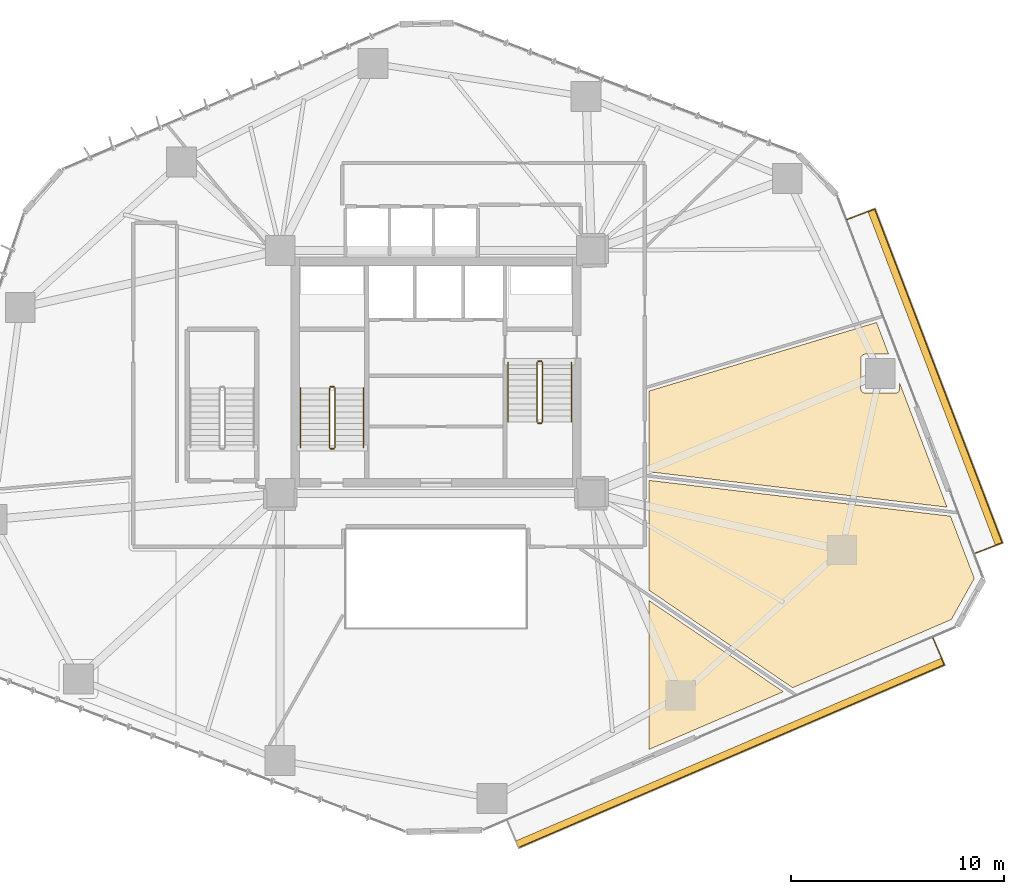
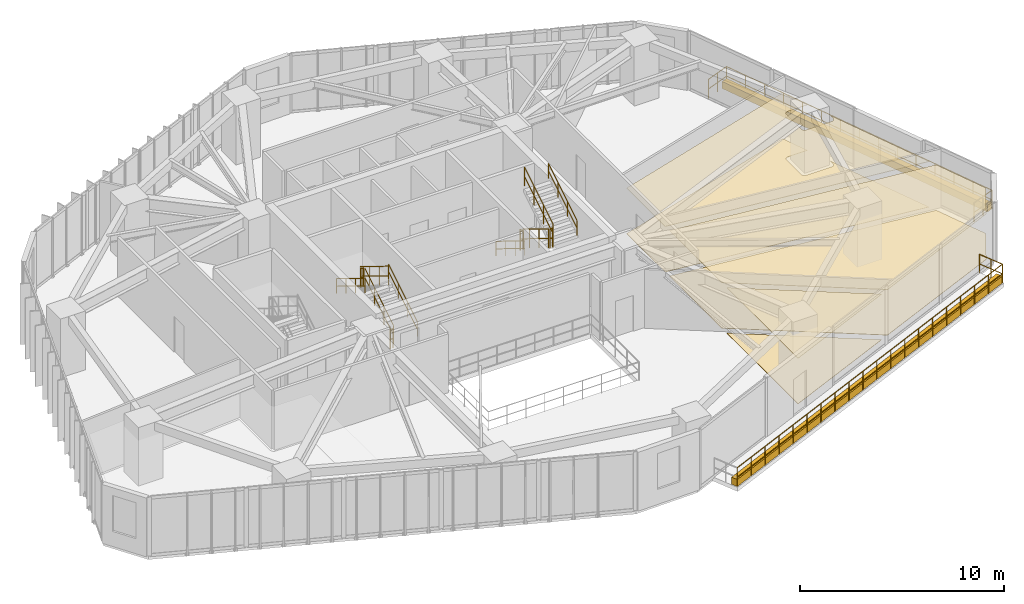
# One storey, part 22 of 23: 17 railings, 8 coverings.
"""IFC4 building model written with IfcOpenShell, lengths in metres."""

from ifc_helpers import new_model, si_unit, direction, frame, origin, origin_2d, place, context, subcontext, project, spatial, polyline, circle, outline, extrude, material, layer, layer_set, type_object, element, save


model = new_model("IFC4")

# Units and contexts
model_context = context("Model", 3, precision=1e-05, world=origin(), true_north=direction((0.0, 1.0)))
body_context = subcontext(model_context, "Body", "Model", "MODEL_VIEW")
ifc_project = project(units=[si_unit("LENGTHUNIT", "METRE"), si_unit("AREAUNIT", "SQUARE_METRE"), si_unit("VOLUMEUNIT", "CUBIC_METRE"), si_unit("PLANEANGLEUNIT", "RADIAN"), si_unit("MASSUNIT", "GRAM", prefix="KILO")], contexts=[model_context])

# Site, building, storey
site_placement = place(None, origin())
site = spatial("IfcSite", under=ifc_project, at=site_placement, CompositionType="ELEMENT")
building_placement = place(site_placement, origin())
building = spatial("IfcBuilding", under=site, at=building_placement, Name="Talar Marvaseh", CompositionType="ELEMENT")
storey_placement = place(building_placement, frame((0.0, 0.0, 27.800048828125)))
storey = spatial("IfcBuildingStorey", under=building, at=storey_placement, Name="L06", CompositionType="ELEMENT", Elevation=27.800048828125)

# Railings
ifc_material_1 = material(Name="Stainless Steel Grade 316", Category="steel")
railing_type_1 = type_object("IfcRailingType", Name="Brushed Stainless Wall Pitch Handrail 900", PredefinedType="HANDRAIL", material=ifc_material_1)
railing_1_placement = place(storey_placement, frame((22.610107421875, 27.64990234375, 0.172607421875)))
element("IfcRailing", 1, at=railing_1_placement, inside=storey, type_object=railing_type_1, Name="L06 ST-1 stair handrail 1", PredefinedType="HANDRAIL", context=body_context, shape_type="SweptSolid", body=[
    extrude(circle(Radius=0.02392578125, at=origin_2d()), frame((0.0, 0.0, 0.8759765625), z_axis=(0.0, 0.851089632645, 0.525020415988), x_axis=(-1.0, 0.0, 0.0)), (0.0, 0.0, 1.0), 3.2900390625),
    extrude(circle(Radius=0.02392578125, at=origin_2d()), frame((0.0, 0.0, 0.42578125), z_axis=(0.0, 0.851089632645, 0.525020415988), x_axis=(-1.0, 0.0, 0.0)), (0.0, 0.0, 1.0), 3.2900390625),
    extrude(circle(Radius=0.02099609375, at=origin_2d()), origin(), (0.0, 0.0, 1.0), 0.851806640625),
    extrude(circle(Radius=0.02099609375, at=origin_2d()), frame((0.0, 0.933349609375, 0.57568359375)), (0.0, 0.0, 1.0), 0.851806640625),
    extrude(circle(Radius=0.02099609375, at=origin_2d()), frame((0.0, 1.86669921875, 1.151611328125)), (0.0, 0.0, 1.0), 0.851806640625),
    extrude(circle(Radius=0.02099609375, at=origin_2d()), frame((0.0, 2.800048828125, 1.727294921875)), (0.0, 0.0, 1.0), 0.851806640625),
])
railing_2_placement = place(storey_placement, frame((19.64990234375, 30.449951171875, 2.07275390625)))
element("IfcRailing", 2, at=railing_2_placement, inside=storey, type_object=railing_type_1, Name="L06 ST-1 stair handrail 2", PredefinedType="HANDRAIL", context=body_context, shape_type="SweptSolid", body=[
    extrude(circle(Radius=0.02392578125, at=origin_2d()), frame((0.0, 0.0, 0.8759765625), z_axis=(0.0, -0.851089632645, 0.525020415988), x_axis=(1.0, 0.0, 0.0)), (0.0, 0.0, 1.0), 3.2900390625),
    extrude(circle(Radius=0.02392578125, at=origin_2d()), frame((0.0, 0.0, 0.42578125), z_axis=(0.0, -0.851089632645, 0.525020415988), x_axis=(1.0, 0.0, 0.0)), (0.0, 0.0, 1.0), 3.2900390625),
    extrude(circle(Radius=0.02099609375, at=origin_2d()), origin(), (0.0, 0.0, 1.0), 0.851806640625),
    extrude(circle(Radius=0.02099609375, at=origin_2d()), frame((0.0, -0.933349609375, 0.57568359375)), (0.0, 0.0, 1.0), 0.851806640625),
    extrude(circle(Radius=0.02099609375, at=origin_2d()), frame((0.0, -1.86669921875, 1.151611328125)), (0.0, 0.0, 1.0), 0.851806640625),
    extrude(circle(Radius=0.02099609375, at=origin_2d()), frame((0.0, -2.800048828125, 1.727294921875)), (0.0, 0.0, 1.0), 0.851806640625),
])
railing_3_placement = place(storey_placement, frame((29.389892578125, 31.64990234375, 0.172607421875)))
element("IfcRailing", 3, at=railing_3_placement, inside=storey, type_object=railing_type_1, Name="L06 ST-2 stair handrail 1", PredefinedType="HANDRAIL", context=body_context, shape_type="SweptSolid", body=[
    extrude(circle(Radius=0.02392578125, at=origin_2d()), frame((0.0, 0.0, 0.8759765625), z_axis=(0.0, -0.851069175582, 0.525053576669), x_axis=(1.0, 0.0, 0.0)), (0.0, 0.0, 1.0), 3.289794921875),
    extrude(circle(Radius=0.02392578125, at=origin_2d()), frame((0.0, 0.0, 0.42578125), z_axis=(0.0, -0.851069175582, 0.525053576669), x_axis=(1.0, 0.0, 0.0)), (0.0, 0.0, 1.0), 3.289794921875),
    extrude(circle(Radius=0.02099609375, at=origin_2d()), origin(), (0.0, 0.0, 1.0), 0.851806640625),
    extrude(circle(Radius=0.02099609375, at=origin_2d()), frame((0.0, -0.933349609375, 0.57568359375)), (0.0, 0.0, 1.0), 0.851806640625),
    extrude(circle(Radius=0.02099609375, at=origin_2d()), frame((0.0, -1.866455078125, 1.151611328125)), (0.0, 0.0, 1.0), 0.851806640625),
    extrude(circle(Radius=0.02099609375, at=origin_2d()), frame((0.0, -2.7998046875, 1.727294921875)), (0.0, 0.0, 1.0), 0.851806640625),
])
railing_4_placement = place(storey_placement, frame((32.35009765625, 28.85009765625, 2.07275390625)))
element("IfcRailing", 4, at=railing_4_placement, inside=storey, type_object=railing_type_1, Name="L06 ST-2 stair handrail 2", PredefinedType="HANDRAIL", context=body_context, shape_type="SweptSolid", body=[
    extrude(circle(Radius=0.02392578125, at=origin_2d()), frame((0.0, 0.0, 0.8759765625), z_axis=(0.0, 0.851069175582, 0.525053576669), x_axis=(-1.0, 0.0, 0.0)), (0.0, 0.0, 1.0), 3.289794921875),
    extrude(circle(Radius=0.02392578125, at=origin_2d()), frame((0.0, 0.0, 0.42578125), z_axis=(0.0, 0.851069175582, 0.525053576669), x_axis=(-1.0, 0.0, 0.0)), (0.0, 0.0, 1.0), 3.289794921875),
    extrude(circle(Radius=0.02099609375, at=origin_2d()), origin(), (0.0, 0.0, 1.0), 0.851806640625),
    extrude(circle(Radius=0.02099609375, at=origin_2d()), frame((0.0, 0.933349609375, 0.57568359375)), (0.0, 0.0, 1.0), 0.851806640625),
    extrude(circle(Radius=0.02099609375, at=origin_2d()), frame((0.0, 1.866455078125, 1.151611328125)), (0.0, 0.0, 1.0), 0.851806640625),
    extrude(circle(Radius=0.02099609375, at=origin_2d()), frame((0.0, 2.7998046875, 1.727294921875)), (0.0, 0.0, 1.0), 0.851806640625),
])
ifc_material_2 = material(Name="Tempered Clear Glass", Category="glass")
railing_type_2 = type_object("IfcRailingType", Name="External Laminated Glass Terrace Balustrade 1150", PredefinedType="BALUSTRADE", material=ifc_material_2)
railing_5_placement = place(storey_placement, frame((45.273681640625, 38.3447265625, 0.0)))
element("IfcRailing", 5, at=railing_5_placement, inside=storey, type_object=railing_type_2, Name="L06 External Terrace Balustrade 1 1", PredefinedType="BALUSTRADE", context=body_context, shape_type="SweptSolid", body=[
    extrude(circle(Radius=0.02392578125, at=origin_2d()), frame((0.0, 0.0, 1.1259765625), z_axis=(0.93415542541, 0.356866419234, 0.0), x_axis=(-0.356866419234, 0.93415542541, 0.0)), (0.0, 0.0, 1.0), 1.409912109375),
    extrude(circle(Radius=0.02392578125, at=origin_2d()), frame((0.0, 0.0, 0.55078125), z_axis=(0.93415542541, 0.356866419234, 0.0), x_axis=(-0.356866419234, 0.93415542541, 0.0)), (0.0, 0.0, 1.0), 1.409912109375),
    extrude(circle(Radius=0.02099609375, at=origin_2d()), origin(), (0.0, 0.0, 1.0), 1.101806640625),
    extrude(circle(Radius=0.02099609375, at=origin_2d()), frame((0.65869140625, 0.25146484375, 0.0)), (0.0, 0.0, 1.0), 1.101806640625),
    extrude(circle(Radius=0.02099609375, at=origin_2d()), frame((1.317138671875, 0.503173828125, 0.0)), (0.0, 0.0, 1.0), 1.101806640625),
])
railing_6_placement = place(storey_placement, frame((46.5908203125, 38.847900390625, 0.0)))
element("IfcRailing", 6, at=railing_6_placement, inside=storey, type_object=railing_type_2, Name="L06 External Terrace Balustrade 1 2", PredefinedType="BALUSTRADE", context=body_context, shape_type="SweptSolid", body=[
    extrude(circle(Radius=0.02392578125, at=origin_2d()), frame((0.0, 0.0, 1.1259765625), z_axis=(0.356809008199, -0.934177355574, 0.0), x_axis=(0.934177355574, 0.356809008199, 0.0)), (0.0, 0.0, 1.0), 16.766357421875),
    extrude(circle(Radius=0.02392578125, at=origin_2d()), frame((0.0, 0.0, 0.55078125), z_axis=(0.356809008199, -0.934177355574, 0.0), x_axis=(0.934177355574, 0.356809008199, 0.0)), (0.0, 0.0, 1.0), 16.766357421875),
    extrude(circle(Radius=0.02099609375, at=origin_2d()), origin(), (0.0, 0.0, 1.0), 1.101806640625),
    extrude(circle(Radius=0.02099609375, at=origin_2d()), frame((0.42724609375, -1.11865234375, 0.0)), (0.0, 0.0, 1.0), 1.101806640625),
    extrude(circle(Radius=0.02099609375, at=origin_2d()), frame((0.854736328125, -2.237548828125, 0.0)), (0.0, 0.0, 1.0), 1.101806640625),
    extrude(circle(Radius=0.02099609375, at=origin_2d()), frame((1.281982421875, -3.3564453125, 0.0)), (0.0, 0.0, 1.0), 1.101806640625),
    extrude(circle(Radius=0.02099609375, at=origin_2d()), frame((1.709228515625, -4.47509765625, 0.0)), (0.0, 0.0, 1.0), 1.101806640625),
    extrude(circle(Radius=0.02099609375, at=origin_2d()), frame((2.136474609375, -5.59375, 0.0)), (0.0, 0.0, 1.0), 1.101806640625),
    extrude(circle(Radius=0.02099609375, at=origin_2d()), frame((2.56396484375, -6.712646484375, 0.0)), (0.0, 0.0, 1.0), 1.101806640625),
    extrude(circle(Radius=0.02099609375, at=origin_2d()), frame((2.9912109375, -7.83154296875, 0.0)), (0.0, 0.0, 1.0), 1.101806640625),
    extrude(circle(Radius=0.02099609375, at=origin_2d()), frame((3.41845703125, -8.9501953125, 0.0)), (0.0, 0.0, 1.0), 1.101806640625),
    extrude(circle(Radius=0.02099609375, at=origin_2d()), frame((3.845947265625, -10.06884765625, 0.0)), (0.0, 0.0, 1.0), 1.101806640625),
    extrude(circle(Radius=0.02099609375, at=origin_2d()), frame((4.273193359375, -11.187744140625, 0.0)), (0.0, 0.0, 1.0), 1.101806640625),
    extrude(circle(Radius=0.02099609375, at=origin_2d()), frame((4.700439453125, -12.306640625, 0.0)), (0.0, 0.0, 1.0), 1.101806640625),
    extrude(circle(Radius=0.02099609375, at=origin_2d()), frame((5.127685546875, -13.42529296875, 0.0)), (0.0, 0.0, 1.0), 1.101806640625),
    extrude(circle(Radius=0.02099609375, at=origin_2d()), frame((5.55517578125, -14.5439453125, 0.0)), (0.0, 0.0, 1.0), 1.101806640625),
    extrude(circle(Radius=0.02099609375, at=origin_2d()), frame((5.982421875, -15.662841796875, 0.0)), (0.0, 0.0, 1.0), 1.101806640625),
])
railing_7_placement = place(storey_placement, frame((52.5732421875, 23.18505859375, 0.0)))
element("IfcRailing", 7, at=railing_7_placement, inside=storey, type_object=railing_type_2, Name="L06 External Terrace Balustrade 1 3", PredefinedType="BALUSTRADE", context=body_context, shape_type="SweptSolid", body=[
    extrude(circle(Radius=0.02392578125, at=origin_2d()), frame((0.0, 0.0, 1.1259765625), z_axis=(-0.93415542541, -0.356866419234, 0.0), x_axis=(0.356866419234, -0.93415542541, 0.0)), (0.0, 0.0, 1.0), 1.409912109375),
    extrude(circle(Radius=0.02392578125, at=origin_2d()), frame((0.0, 0.0, 0.55078125), z_axis=(-0.93415542541, -0.356866419234, 0.0), x_axis=(0.356866419234, -0.93415542541, 0.0)), (0.0, 0.0, 1.0), 1.409912109375),
    extrude(circle(Radius=0.02099609375, at=origin_2d()), origin(), (0.0, 0.0, 1.0), 1.101806640625),
    extrude(circle(Radius=0.02099609375, at=origin_2d()), frame((-0.65869140625, -0.25146484375, 0.0)), (0.0, 0.0, 1.0), 1.101806640625),
    extrude(circle(Radius=0.02099609375, at=origin_2d()), frame((-1.317138671875, -0.503173828125, 0.0)), (0.0, 0.0, 1.0), 1.101806640625),
])
railing_8_placement = place(storey_placement, frame((49.29931640625, 18.75, 0.0)))
element("IfcRailing", 8, at=railing_8_placement, inside=storey, type_object=railing_type_2, Name="L06 External Terrace Balustrade 2 1", PredefinedType="BALUSTRADE", context=body_context, shape_type="SweptSolid", body=[
    extrude(circle(Radius=0.02392578125, at=origin_2d()), frame((0.0, 0.0, 1.1259765625), z_axis=(0.394587876034, -0.918858208913, 0.0), x_axis=(0.918858208913, 0.394587876034, 0.0)), (0.0, 0.0, 1.0), 1.41015625),
    extrude(circle(Radius=0.02392578125, at=origin_2d()), frame((0.0, 0.0, 0.55078125), z_axis=(0.394587876034, -0.918858208913, 0.0), x_axis=(0.918858208913, 0.394587876034, 0.0)), (0.0, 0.0, 1.0), 1.41015625),
    extrude(circle(Radius=0.02099609375, at=origin_2d()), origin(), (0.0, 0.0, 1.0), 1.101806640625),
    extrude(circle(Radius=0.02099609375, at=origin_2d()), frame((0.2783203125, -0.64794921875, 0.0)), (0.0, 0.0, 1.0), 1.101806640625),
    extrude(circle(Radius=0.02099609375, at=origin_2d()), frame((0.556396484375, -1.295654296875, 0.0)), (0.0, 0.0, 1.0), 1.101806640625),
])
railing_9_placement = place(storey_placement, frame((49.855712890625, 17.454345703125, 0.0)))
element("IfcRailing", 9, at=railing_9_placement, inside=storey, type_object=railing_type_2, Name="L06 External Terrace Balustrade 2 2", PredefinedType="BALUSTRADE", context=body_context, shape_type="SweptSolid", body=[
    extrude(circle(Radius=0.02392578125, at=origin_2d()), frame((0.0, 0.0, 1.1259765625), z_axis=(-0.918854751931, -0.394595926047, 0.0), x_axis=(0.394595926047, -0.918854751931, 0.0)), (0.0, 0.0, 1.0), 21.7265625),
    extrude(circle(Radius=0.02392578125, at=origin_2d()), frame((0.0, 0.0, 0.55078125), z_axis=(-0.918854751931, -0.394595926047, 0.0), x_axis=(0.394595926047, -0.918854751931, 0.0)), (0.0, 0.0, 1.0), 21.7265625),
    extrude(circle(Radius=0.02099609375, at=origin_2d()), origin(), (0.0, 0.0, 1.0), 1.101806640625),
    extrude(circle(Radius=0.02099609375, at=origin_2d()), frame((-1.05078125, -0.451171875, 0.0)), (0.0, 0.0, 1.0), 1.101806640625),
    extrude(circle(Radius=0.02099609375, at=origin_2d()), frame((-2.101318359375, -0.90234375, 0.0)), (0.0, 0.0, 1.0), 1.101806640625),
    extrude(circle(Radius=0.02099609375, at=origin_2d()), frame((-3.152099609375, -1.353759765625, 0.0)), (0.0, 0.0, 1.0), 1.101806640625),
    extrude(circle(Radius=0.02099609375, at=origin_2d()), frame((-4.202880859375, -1.804931640625, 0.0)), (0.0, 0.0, 1.0), 1.101806640625),
    extrude(circle(Radius=0.02099609375, at=origin_2d()), frame((-5.253662109375, -2.256103515625, 0.0)), (0.0, 0.0, 1.0), 1.101806640625),
    extrude(circle(Radius=0.02099609375, at=origin_2d()), frame((-6.30419921875, -2.707275390625, 0.0)), (0.0, 0.0, 1.0), 1.101806640625),
    extrude(circle(Radius=0.02099609375, at=origin_2d()), frame((-7.35498046875, -3.158447265625, 0.0)), (0.0, 0.0, 1.0), 1.101806640625),
    extrude(circle(Radius=0.02099609375, at=origin_2d()), frame((-8.40576171875, -3.60986328125, 0.0)), (0.0, 0.0, 1.0), 1.101806640625),
    extrude(circle(Radius=0.02099609375, at=origin_2d()), frame((-9.45654296875, -4.06103515625, 0.0)), (0.0, 0.0, 1.0), 1.101806640625),
    extrude(circle(Radius=0.02099609375, at=origin_2d()), frame((-10.507080078125, -4.51220703125, 0.0)), (0.0, 0.0, 1.0), 1.101806640625),
    extrude(circle(Radius=0.02099609375, at=origin_2d()), frame((-11.557861328125, -4.96337890625, 0.0)), (0.0, 0.0, 1.0), 1.101806640625),
    extrude(circle(Radius=0.02099609375, at=origin_2d()), frame((-12.608642578125, -5.414794921875, 0.0)), (0.0, 0.0, 1.0), 1.101806640625),
    extrude(circle(Radius=0.02099609375, at=origin_2d()), frame((-13.659423828125, -5.865966796875, 0.0)), (0.0, 0.0, 1.0), 1.101806640625),
    extrude(circle(Radius=0.02099609375, at=origin_2d()), frame((-14.7099609375, -6.317138671875, 0.0)), (0.0, 0.0, 1.0), 1.101806640625),
    extrude(circle(Radius=0.02099609375, at=origin_2d()), frame((-15.7607421875, -6.768310546875, 0.0)), (0.0, 0.0, 1.0), 1.101806640625),
    extrude(circle(Radius=0.02099609375, at=origin_2d()), frame((-16.8115234375, -7.219482421875, 0.0)), (0.0, 0.0, 1.0), 1.101806640625),
    extrude(circle(Radius=0.02099609375, at=origin_2d()), frame((-17.8623046875, -7.6708984375, 0.0)), (0.0, 0.0, 1.0), 1.101806640625),
    extrude(circle(Radius=0.02099609375, at=origin_2d()), frame((-18.912841796875, -8.1220703125, 0.0)), (0.0, 0.0, 1.0), 1.101806640625),
    extrude(circle(Radius=0.02099609375, at=origin_2d()), frame((-19.963623046875, -8.5732421875, 0.0)), (0.0, 0.0, 1.0), 1.101806640625),
])
railing_type_3 = type_object("IfcRailingType", Name="Painted Steel Core Stair Well Guardrail 1150", PredefinedType="GUARDRAIL", material=ifc_material_1)
railing_10_placement = place(storey_placement, frame((21.260009765625, 27.64990234375, 0.172607421875)))
element("IfcRailing", 10, at=railing_10_placement, inside=storey, type_object=railing_type_3, Name="L06 ST-1 stair guard 1", PredefinedType="GUARDRAIL", context=body_context, shape_type="SweptSolid", body=[
    extrude(circle(Radius=0.02392578125, at=origin_2d()), frame((0.0, 0.0, 1.1259765625), z_axis=(0.0, 0.851089632645, 0.525020415988), x_axis=(-1.0, 0.0, 0.0)), (0.0, 0.0, 1.0), 3.2900390625),
    extrude(circle(Radius=0.02392578125, at=origin_2d()), frame((0.0, 0.0, 0.55078125), z_axis=(0.0, 0.851089632645, 0.525020415988), x_axis=(-1.0, 0.0, 0.0)), (0.0, 0.0, 1.0), 3.2900390625),
    extrude(circle(Radius=0.02099609375, at=origin_2d()), origin(), (0.0, 0.0, 1.0), 1.101806640625),
    extrude(circle(Radius=0.02099609375, at=origin_2d()), frame((0.0, 0.933349609375, 0.57568359375)), (0.0, 0.0, 1.0), 1.101806640625),
    extrude(circle(Radius=0.02099609375, at=origin_2d()), frame((0.0, 1.86669921875, 1.151611328125)), (0.0, 0.0, 1.0), 1.101806640625),
    extrude(circle(Radius=0.02099609375, at=origin_2d()), frame((0.0, 2.800048828125, 1.727294921875)), (0.0, 0.0, 1.0), 1.101806640625),
])
railing_11_placement = place(storey_placement, frame((21.2099609375, 30.5, 1.89990234375)))
element("IfcRailing", 11, at=railing_11_placement, inside=storey, type_object=railing_type_3, Name="L06 ST-1 stair guard 2", PredefinedType="GUARDRAIL", context=body_context, shape_type="SweptSolid", body=[
    extrude(circle(Radius=0.02392578125, at=origin_2d()), frame((0.0, 0.0, 1.1259765625), z_axis=(-1.0, 0.0, 0.0), x_axis=(0.0, -1.0, 0.0)), (0.0, 0.0, 1.0), 0.159912109375),
    extrude(circle(Radius=0.02392578125, at=origin_2d()), frame((0.0, 0.0, 0.55078125), z_axis=(-1.0, 0.0, 0.0), x_axis=(0.0, -1.0, 0.0)), (0.0, 0.0, 1.0), 0.159912109375),
    extrude(circle(Radius=0.02099609375, at=origin_2d()), origin(), (0.0, 0.0, 1.0), 1.101806640625),
    extrude(circle(Radius=0.02099609375, at=origin_2d()), frame((-0.159912109375, 0.0, 0.0)), (0.0, 0.0, 1.0), 1.101806640625),
])
railing_12_placement = place(storey_placement, frame((21.0, 30.449951171875, 2.07275390625)))
element("IfcRailing", 12, at=railing_12_placement, inside=storey, type_object=railing_type_3, Name="L06 ST-1 stair guard 3", PredefinedType="GUARDRAIL", context=body_context, shape_type="SweptSolid", body=[
    extrude(circle(Radius=0.02392578125, at=origin_2d()), frame((0.0, 0.0, 1.1259765625), z_axis=(0.0, -0.851089632645, 0.525020415988), x_axis=(1.0, 0.0, 0.0)), (0.0, 0.0, 1.0), 3.2900390625),
    extrude(circle(Radius=0.02392578125, at=origin_2d()), frame((0.0, 0.0, 0.55078125), z_axis=(0.0, -0.851089632645, 0.525020415988), x_axis=(1.0, 0.0, 0.0)), (0.0, 0.0, 1.0), 3.2900390625),
    extrude(circle(Radius=0.02099609375, at=origin_2d()), origin(), (0.0, 0.0, 1.0), 1.101806640625),
    extrude(circle(Radius=0.02099609375, at=origin_2d()), frame((0.0, -0.933349609375, 0.57568359375)), (0.0, 0.0, 1.0), 1.101806640625),
    extrude(circle(Radius=0.02099609375, at=origin_2d()), frame((0.0, -1.86669921875, 1.151611328125)), (0.0, 0.0, 1.0), 1.101806640625),
    extrude(circle(Radius=0.02099609375, at=origin_2d()), frame((0.0, -2.800048828125, 1.727294921875)), (0.0, 0.0, 1.0), 1.101806640625),
])
railing_13_placement = place(storey_placement, frame((21.2099609375, 27.60009765625, 0.0)))
element("IfcRailing", 13, at=railing_13_placement, inside=storey, type_object=railing_type_3, Name="L06 ST-1 stair guard 4", PredefinedType="GUARDRAIL", context=body_context, shape_type="SweptSolid", body=[
    extrude(circle(Radius=0.02392578125, at=origin_2d()), frame((0.0, 0.0, 1.1259765625), z_axis=(-1.0, 0.0, 0.0), x_axis=(0.0, -1.0, 0.0)), (0.0, 0.0, 1.0), 0.159912109375),
    extrude(circle(Radius=0.02392578125, at=origin_2d()), frame((0.0, 0.0, 0.55078125), z_axis=(-1.0, 0.0, 0.0), x_axis=(0.0, -1.0, 0.0)), (0.0, 0.0, 1.0), 0.159912109375),
    extrude(circle(Radius=0.02099609375, at=origin_2d()), origin(), (0.0, 0.0, 1.0), 1.101806640625),
    extrude(circle(Radius=0.02099609375, at=origin_2d()), frame((-0.159912109375, 0.0, 0.0)), (0.0, 0.0, 1.0), 1.101806640625),
])
railing_14_placement = place(storey_placement, frame((30.739990234375, 31.64990234375, 0.172607421875)))
element("IfcRailing", 14, at=railing_14_placement, inside=storey, type_object=railing_type_3, Name="L06 ST-2 stair guard 1", PredefinedType="GUARDRAIL", context=body_context, shape_type="SweptSolid", body=[
    extrude(circle(Radius=0.02392578125, at=origin_2d()), frame((0.0, 0.0, 1.1259765625), z_axis=(0.0, -0.851069175582, 0.525053576669), x_axis=(1.0, 0.0, 0.0)), (0.0, 0.0, 1.0), 3.289794921875),
    extrude(circle(Radius=0.02392578125, at=origin_2d()), frame((0.0, 0.0, 0.55078125), z_axis=(0.0, -0.851069175582, 0.525053576669), x_axis=(1.0, 0.0, 0.0)), (0.0, 0.0, 1.0), 3.289794921875),
    extrude(circle(Radius=0.02099609375, at=origin_2d()), origin(), (0.0, 0.0, 1.0), 1.101806640625),
    extrude(circle(Radius=0.02099609375, at=origin_2d()), frame((0.0, -0.933349609375, 0.57568359375)), (0.0, 0.0, 1.0), 1.101806640625),
    extrude(circle(Radius=0.02099609375, at=origin_2d()), frame((0.0, -1.866455078125, 1.151611328125)), (0.0, 0.0, 1.0), 1.101806640625),
    extrude(circle(Radius=0.02099609375, at=origin_2d()), frame((0.0, -2.7998046875, 1.727294921875)), (0.0, 0.0, 1.0), 1.101806640625),
])
railing_15_placement = place(storey_placement, frame((30.7900390625, 28.800048828125, 1.89990234375)))
element("IfcRailing", 15, at=railing_15_placement, inside=storey, type_object=railing_type_3, Name="L06 ST-2 stair guard 2", PredefinedType="GUARDRAIL", context=body_context, shape_type="SweptSolid", body=[
    extrude(circle(Radius=0.02392578125, at=origin_2d()), frame((0.0, 0.0, 1.1259765625), z_axis=(1.0, 0.0, 0.0), x_axis=(0.0, 1.0, 0.0)), (0.0, 0.0, 1.0), 0.159912109375),
    extrude(circle(Radius=0.02392578125, at=origin_2d()), frame((0.0, 0.0, 0.55078125), z_axis=(1.0, 0.0, 0.0), x_axis=(0.0, 1.0, 0.0)), (0.0, 0.0, 1.0), 0.159912109375),
    extrude(circle(Radius=0.02099609375, at=origin_2d()), origin(), (0.0, 0.0, 1.0), 1.101806640625),
    extrude(circle(Radius=0.02099609375, at=origin_2d()), frame((0.159912109375, 0.0, 0.0)), (0.0, 0.0, 1.0), 1.101806640625),
])
railing_16_placement = place(storey_placement, frame((31.0, 28.85009765625, 2.07275390625)))
element("IfcRailing", 16, at=railing_16_placement, inside=storey, type_object=railing_type_3, Name="L06 ST-2 stair guard 3", PredefinedType="GUARDRAIL", context=body_context, shape_type="SweptSolid", body=[
    extrude(circle(Radius=0.02392578125, at=origin_2d()), frame((0.0, 0.0, 1.1259765625), z_axis=(0.0, 0.851069175582, 0.525053576669), x_axis=(-1.0, 0.0, 0.0)), (0.0, 0.0, 1.0), 3.289794921875),
    extrude(circle(Radius=0.02392578125, at=origin_2d()), frame((0.0, 0.0, 0.55078125), z_axis=(0.0, 0.851069175582, 0.525053576669), x_axis=(-1.0, 0.0, 0.0)), (0.0, 0.0, 1.0), 3.289794921875),
    extrude(circle(Radius=0.02099609375, at=origin_2d()), origin(), (0.0, 0.0, 1.0), 1.101806640625),
    extrude(circle(Radius=0.02099609375, at=origin_2d()), frame((0.0, 0.933349609375, 0.57568359375)), (0.0, 0.0, 1.0), 1.101806640625),
    extrude(circle(Radius=0.02099609375, at=origin_2d()), frame((0.0, 1.866455078125, 1.151611328125)), (0.0, 0.0, 1.0), 1.101806640625),
    extrude(circle(Radius=0.02099609375, at=origin_2d()), frame((0.0, 2.7998046875, 1.727294921875)), (0.0, 0.0, 1.0), 1.101806640625),
])
railing_17_placement = place(storey_placement, frame((30.7900390625, 31.699951171875, 0.0)))
element("IfcRailing", 17, at=railing_17_placement, inside=storey, type_object=railing_type_3, Name="L06 ST-2 stair guard 4", PredefinedType="GUARDRAIL", context=body_context, shape_type="SweptSolid", body=[
    extrude(circle(Radius=0.02392578125, at=origin_2d()), frame((0.0, 0.0, 1.1259765625), z_axis=(1.0, 0.0, 0.0), x_axis=(0.0, 1.0, 0.0)), (0.0, 0.0, 1.0), 0.159912109375),
    extrude(circle(Radius=0.02392578125, at=origin_2d()), frame((0.0, 0.0, 0.55078125), z_axis=(1.0, 0.0, 0.0), x_axis=(0.0, 1.0, 0.0)), (0.0, 0.0, 1.0), 0.159912109375),
    extrude(circle(Radius=0.02099609375, at=origin_2d()), origin(), (0.0, 0.0, 1.0), 1.101806640625),
    extrude(circle(Radius=0.02099609375, at=origin_2d()), frame((0.159912109375, 0.0, 0.0)), (0.0, 0.0, 1.0), 1.101806640625),
])

# Coverings
ifc_material_3 = material(Name="Mineral Fibre Acoustic Ceiling")
ifc_layer_1 = layer(ifc_material_3, 0.02490234375)
ifc_layer_set_1 = layer_set([ifc_layer_1], Name="Mineral Fibre Acoustic Ceiling")
covering_type_1 = type_object("IfcCoveringType", Name="Perforated Mineral Fibre Acoustic Suspended Ceiling", PredefinedType="CEILING", material=ifc_layer_set_1)
covering_1_placement = place(storey_placement, frame((0.0, 0.0, 2.719970703125)))
element("IfcCovering", 18, at=covering_1_placement, inside=storey, type_object=covering_type_1, Name="L06 Curatorial Office Acoustic Ceiling", PredefinedType="CEILING", context=body_context, shape_type="SweptSolid", body=[
    extrude(outline(polyline([(36.0, 13.49560546875), (36.0, 20.47265625), (42.296630859375, 16.19970703125), (36.0, 13.49560546875)])), origin(), (0.0, 0.0, 1.0), 0.02490234375),
])
covering_2_placement = place(storey_placement, frame((0.0, 0.0, 2.719970703125)))
element("IfcCovering", 19, at=covering_2_placement, inside=storey, type_object=covering_type_1, Name="L06 Main Reading Room Acoustic Ceiling", PredefinedType="CEILING", context=body_context, shape_type="SweptSolid", body=[
    extrude(outline(polyline([(36.0, 20.9560546875), (36.0, 23.0), (36.0, 26.111572265625), (50.137451171875, 24.433349609375), (51.2529296875, 21.5126953125), (50.17578125, 19.58349609375), (42.73291015625, 16.38720703125), (36.0, 20.9560546875)])), origin(), (0.0, 0.0, 1.0), 0.02490234375),
])
covering_3_placement = place(storey_placement, frame((0.0, 0.0, 2.719970703125)))
element("IfcCovering", 20, at=covering_3_placement, inside=storey, type_object=covering_type_1, Name="L06 Archival Research Office Acoustic Ceiling", PredefinedType="CEILING", context=body_context, shape_type="SweptSolid", body=[
    extrude(outline(polyline([(46.0908203125, 32.025634765625), (46.072021484375, 32.02099609375), (46.053466796875, 32.01416015625), (46.035888671875, 32.005859375), (46.01904296875, 31.995849609375), (46.00341796875, 31.984130859375), (45.989013671875, 31.970947265625), (45.975830078125, 31.95654296875), (45.964111328125, 31.94091796875), (45.9541015625, 31.924072265625), (45.94580078125, 31.90625), (45.939208984375, 31.887939453125), (45.934326171875, 31.868896484375), (45.931396484375, 31.849609375), (45.930419921875, 31.830078125), (45.927001953125, 30.413818359375), (45.927978515625, 30.39404296875), (45.930908203125, 30.374755859375), (45.935546875, 30.355712890625), (45.942138671875, 30.337158203125), (45.95068359375, 30.3193359375), (45.960693359375, 30.302490234375), (45.972412109375, 30.28662109375), (45.985595703125, 30.27197265625), (46.0, 30.2587890625), (46.015869140625, 30.2470703125), (46.02978515625, 30.23779296875), (46.046630859375, 30.2275390625), (46.064697265625, 30.21923828125), (46.083251953125, 30.21240234375), (46.102294921875, 30.207763671875), (46.121826171875, 30.204833984375), (46.1416015625, 30.2041015625), (47.55224609375, 30.20849609375), (47.57177734375, 30.20947265625), (47.591064453125, 30.21240234375), (47.610107421875, 30.217041015625), (47.62841796875, 30.2236328125), (47.64599609375, 30.232177734375), (47.662841796875, 30.2421875), (47.678466796875, 30.25390625), (47.693115234375, 30.26708984375), (47.7060546875, 30.281494140625), (47.7177734375, 30.297119140625), (47.727783203125, 30.31396484375), (47.736083984375, 30.33154296875), (47.742919921875, 30.349853515625), (47.747802734375, 30.368896484375), (47.75048828125, 30.38818359375), (47.751708984375, 30.40771484375), (47.75244140625, 30.677734375), (49.976318359375, 24.855224609375), (36.0, 26.514404296875), (36.0, 30.304443359375), (46.66748046875, 33.518798828125), (47.23486328125, 32.033203125), (46.1298828125, 32.029541015625), (46.110107421875, 32.028564453125), (46.0908203125, 32.025634765625)])), origin(), (0.0, 0.0, 1.0), 0.02490234375),
])
ifc_material_4 = material(Name="Planted Terrace Vegetated Substrate")
ifc_layer_2 = layer(ifc_material_4, 0.39990234375)
ifc_layer_set_2 = layer_set([ifc_layer_2], Name="Planted Terrace Vegetated Substrate")
covering_type_2 = type_object("IfcCoveringType", Name="Planted Terrace Soil Planter Box Cladding", PredefinedType="CLADDING", material=ifc_layer_set_2)
covering_4_placement = place(storey_placement, origin())
element("IfcCovering", 21, at=covering_4_placement, inside=storey, type_object=covering_type_2, Name="L06 Balcony Structural Planter 1", PredefinedType="CLADDING", context=body_context, shape_type="SweptSolid", body=[
    extrude(outline(polyline([(46.5908203125, 38.847900390625), (52.5732421875, 23.18505859375), (52.246337890625, 23.06005859375), (46.263916015625, 38.722900390625), (46.5908203125, 38.847900390625)])), origin(), (0.0, 0.0, 1.0), 0.419921875),
])
covering_5_placement = place(storey_placement, origin())
element("IfcCovering", 22, at=covering_5_placement, inside=storey, type_object=covering_type_2, Name="L06 Balcony Structural Planter 2", PredefinedType="CLADDING", context=body_context, shape_type="SweptSolid", body=[
    extrude(outline(polyline([(49.855712890625, 17.454345703125), (29.89208984375, 8.881103515625), (29.75390625, 9.20263671875), (49.717529296875, 17.77587890625), (49.855712890625, 17.454345703125)])), origin(), (0.0, 0.0, 1.0), 0.419921875),
])
ifc_material_5 = material(Name="Porcelain Stoneware Tile", Category="masonry")
ifc_layer_3 = layer(ifc_material_5, 0.02001953125)
ifc_layer_set_3 = layer_set([ifc_layer_3], Name="Porcelain Stoneware Tile")
covering_type_3 = type_object("IfcCoveringType", Name="Polished Porcelain Stoneware Gallery Flooring", PredefinedType="FLOORING", material=ifc_layer_set_3)
covering_6_placement = place(storey_placement, origin())
element("IfcCovering", 23, at=covering_6_placement, inside=storey, type_object=covering_type_3, Name="L06 Curatorial Office Flooring", PredefinedType="FLOORING", context=body_context, shape_type="SweptSolid", body=[
    extrude(outline(polyline([(36.0, 13.49560546875), (36.0, 20.47265625), (42.296630859375, 16.19970703125), (36.0, 13.49560546875)])), origin(), (0.0, 0.0, 1.0), 0.02001953125),
])
covering_7_placement = place(storey_placement, origin())
element("IfcCovering", 24, at=covering_7_placement, inside=storey, type_object=covering_type_3, Name="L06 Main Reading Room Flooring", PredefinedType="FLOORING", context=body_context, shape_type="SweptSolid", body=[
    extrude(outline(polyline([(36.0, 20.9560546875), (36.0, 23.0), (36.0, 26.111572265625), (50.137451171875, 24.433349609375), (51.2529296875, 21.5126953125), (50.17578125, 19.58349609375), (42.73291015625, 16.38720703125), (36.0, 20.9560546875)])), origin(), (0.0, 0.0, 1.0), 0.02001953125),
])
covering_8_placement = place(storey_placement, origin())
element("IfcCovering", 25, at=covering_8_placement, inside=storey, type_object=covering_type_3, Name="L06 Archival Research Office Flooring", PredefinedType="FLOORING", context=body_context, shape_type="SweptSolid", body=[
    extrude(outline(polyline([(46.0908203125, 32.025634765625), (46.072021484375, 32.02099609375), (46.053466796875, 32.01416015625), (46.035888671875, 32.005859375), (46.01904296875, 31.995849609375), (46.00341796875, 31.984130859375), (45.989013671875, 31.970947265625), (45.975830078125, 31.95654296875), (45.964111328125, 31.94091796875), (45.9541015625, 31.924072265625), (45.94580078125, 31.90625), (45.939208984375, 31.887939453125), (45.934326171875, 31.868896484375), (45.931396484375, 31.849609375), (45.930419921875, 31.830078125), (45.927001953125, 30.413818359375), (45.927978515625, 30.39404296875), (45.930908203125, 30.374755859375), (45.935546875, 30.355712890625), (45.942138671875, 30.337158203125), (45.95068359375, 30.3193359375), (45.960693359375, 30.302490234375), (45.972412109375, 30.28662109375), (45.985595703125, 30.27197265625), (46.0, 30.2587890625), (46.015869140625, 30.2470703125), (46.02978515625, 30.23779296875), (46.046630859375, 30.2275390625), (46.064697265625, 30.21923828125), (46.083251953125, 30.21240234375), (46.102294921875, 30.207763671875), (46.121826171875, 30.204833984375), (46.1416015625, 30.2041015625), (47.55224609375, 30.20849609375), (47.57177734375, 30.20947265625), (47.591064453125, 30.21240234375), (47.610107421875, 30.217041015625), (47.62841796875, 30.2236328125), (47.64599609375, 30.232177734375), (47.662841796875, 30.2421875), (47.678466796875, 30.25390625), (47.693115234375, 30.26708984375), (47.7060546875, 30.281494140625), (47.7177734375, 30.297119140625), (47.727783203125, 30.31396484375), (47.736083984375, 30.33154296875), (47.742919921875, 30.349853515625), (47.747802734375, 30.368896484375), (47.75048828125, 30.38818359375), (47.751708984375, 30.40771484375), (47.75244140625, 30.677734375), (49.976318359375, 24.855224609375), (36.0, 26.514404296875), (36.0, 30.304443359375), (46.66748046875, 33.518798828125), (47.23486328125, 32.033203125), (46.1298828125, 32.029541015625), (46.110107421875, 32.028564453125), (46.0908203125, 32.025634765625)])), origin(), (0.0, 0.0, 1.0), 0.02001953125),
])

save(model, "model.ifc")
